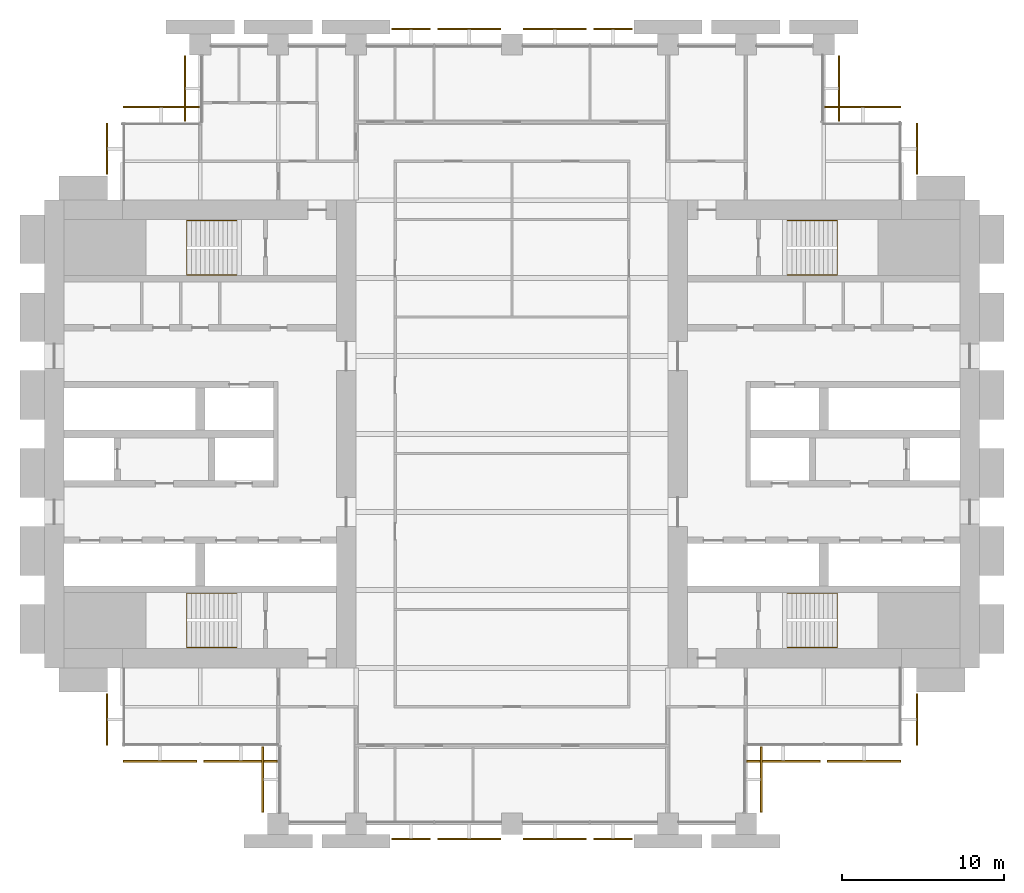
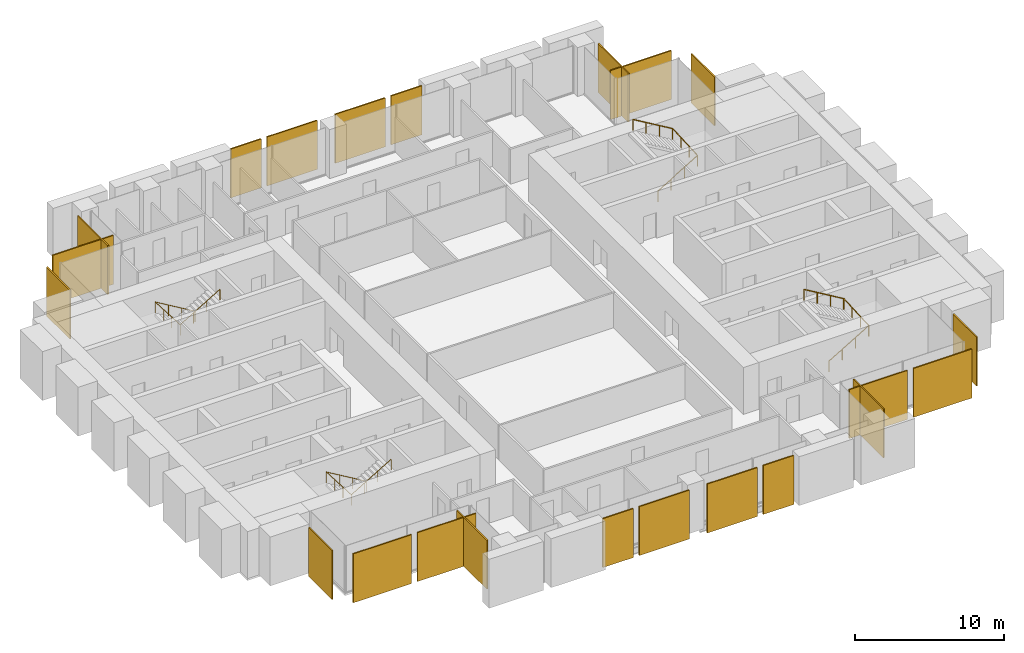
# One storey, part 14 of 14: 22 coverings, 4 railings.
"""IFC4 building model written with IfcOpenShell, lengths in metres."""

import ifcopenshell
import ifcopenshell.guid

model = None  # the IFC model being written
_history = None  # IfcOwnerHistory: only IFC2X3 demands one
_inside = {}  # id of a spatial element -> (the spatial element, [elements in it])
_under = {}  # id of a project, library or spatial element -> (it, [spatial elements below it])
_declared = {}  # id of a project -> (the project, [libraries it declares])
_typed = {}  # id of a type object -> (the type object, [elements of that type])
_made_of = {}  # id of a material, layer set ... -> (it, [elements and type objects made of it])


def new_model(schema):
    """Start an empty IFC model of exactly this schema.

    Asked for "IFC4X3", IfcOpenShell would pick the latest addendum, in which some entities
    have other attributes; the version numbers below select the first issue.
    IFC2X3 requires an IfcOwnerHistory on every rooted entity: one is made here for all.
    """
    global model, _history
    if schema == "IFC4X3":
        model = ifcopenshell.file(schema_version=(4, 3, 0, 0))
    else:
        model = ifcopenshell.file(schema=schema)
    _inside.clear()
    _under.clear()
    _declared.clear()
    _typed.clear()
    _made_of.clear()
    _history = None
    if model.schema == "IFC2X3":
        org = make("IfcOrganization", Name="unknown")
        user = make(
            "IfcPersonAndOrganization",
            ThePerson=make("IfcPerson", FamilyName="unknown"),
            TheOrganization=org,
        )
        app = make(
            "IfcApplication",
            ApplicationDeveloper=org,
            Version="unknown",
            ApplicationFullName="unknown",
            ApplicationIdentifier="unknown",
        )
        _history = make(
            "IfcOwnerHistory",
            OwningUser=user,
            OwningApplication=app,
            ChangeAction="ADDED",
            CreationDate=0,
        )
    return model


def make(cls, **values):
    """One entity of the class cls with the attributes given. An attribute that is None is left unset."""
    return model.create_entity(
        cls, **{name: value for name, value in values.items() if value is not None}
    )


def rooted(cls, **values):
    """An entity with a GlobalId (a new one), such as an element, a storey or a relation."""
    return make(cls, GlobalId=ifcopenshell.guid.new(), OwnerHistory=_history, **values)


def si_unit(unit_type, name, prefix=None):
    """IfcSIUnit, for example si_unit("LENGTHUNIT", "METRE", prefix="MILLI")."""
    return make("IfcSIUnit", UnitType=unit_type, Prefix=prefix, Name=name)


def assignment(units):
    """IfcUnitAssignment: the units of a project."""
    return None if units is None else make("IfcUnitAssignment", Units=units)


def point(xyz):
    """IfcCartesianPoint."""
    return None if xyz is None else make("IfcCartesianPoint", Coordinates=xyz)


def direction(xyz):
    """IfcDirection."""
    return None if xyz is None else make("IfcDirection", DirectionRatios=xyz)


def frame(location, z_axis=None, x_axis=None):
    """IfcAxis2Placement3D, a coordinate frame: its origin and axes. An axis left out is left unset."""
    return make(
        "IfcAxis2Placement3D",
        Location=point(location),
        Axis=direction(z_axis),
        RefDirection=direction(x_axis),
    )


def frame_2d(location, x_axis=None):
    """IfcAxis2Placement2D, a coordinate frame in the plane: its origin and x axis."""
    return make(
        "IfcAxis2Placement2D", Location=point(location), RefDirection=direction(x_axis)
    )


def origin():
    """The frame at (0, 0, 0) with its axes left unset."""
    return frame((0.0, 0.0, 0.0))


def origin_2d():
    """The frame at (0, 0) in the plane with its x axis left unset."""
    return frame_2d((0.0, 0.0))


def place(relative_to, where):
    """IfcLocalPlacement: puts the frame where relative to a parent placement (None: the world)."""
    return make(
        "IfcLocalPlacement", PlacementRelTo=relative_to, RelativePlacement=where
    )


def context(
    kind, dimensions, precision=None, world=None, true_north=None, identifier=None
):
    """IfcGeometricRepresentationContext, for example the 3D "Model" context."""
    return make(
        "IfcGeometricRepresentationContext",
        ContextIdentifier=identifier,
        ContextType=kind,
        CoordinateSpaceDimension=dimensions,
        Precision=precision,
        WorldCoordinateSystem=world,
        TrueNorth=true_north,
    )


def subcontext(parent, identifier, kind, view, scale=None):
    """IfcGeometricRepresentationSubContext, for example "Body" below "Model"."""
    return make(
        "IfcGeometricRepresentationSubContext",
        ContextIdentifier=identifier,
        ContextType=kind,
        ParentContext=parent,
        TargetScale=scale,
        TargetView=view,
    )


def project(units=None, contexts=None):
    """IfcProject with its units and contexts."""
    return rooted(
        "IfcProject",
        Name="project",
        RepresentationContexts=contexts,
        UnitsInContext=assignment(units),
    )


def spatial(cls, under=None, at=None, **own):
    """A site, building, storey or space (cls), placed at a placement, below another one or the project."""
    s = rooted(cls, ObjectPlacement=at, **own)
    if under is not None:
        _under.setdefault(under.id(), (under, []))[1].append(s)
    return s


def polyline(points):
    """IfcPolyline through the points."""
    return make("IfcPolyline", Points=[point(p) for p in points])


def profile(cls, at=None, kind="AREA", **sizes):
    """A parametric profile (cls). Its sizes go by their IFC names, for example OverallWidth=200.0."""
    return make(cls, ProfileType=kind, Position=at, **sizes)


def circle(**sizes):
    """IfcCircleProfileDef."""
    return profile("IfcCircleProfileDef", **sizes)


def outline(outer, holes=None, kind="AREA"):
    """IfcArbitraryClosedProfileDef: a profile drawn as a closed curve; with holes, ...WithVoids."""
    if holes is None:
        return make("IfcArbitraryClosedProfileDef", ProfileType=kind, OuterCurve=outer)
    return make(
        "IfcArbitraryProfileDefWithVoids",
        ProfileType=kind,
        OuterCurve=outer,
        InnerCurves=holes,
    )


def extrude(swept, where, along, depth):
    """IfcExtrudedAreaSolid: the profile swept, set in the frame where, extruded along a direction by depth."""
    return make(
        "IfcExtrudedAreaSolid",
        SweptArea=swept,
        Position=where,
        ExtrudedDirection=direction(along),
        Depth=depth,
    )


def shape(context_of_items, identifier, shape_type, items):
    """IfcShapeRepresentation: the items that make up one representation, for example the "Body"."""
    return make(
        "IfcShapeRepresentation",
        ContextOfItems=context_of_items,
        RepresentationIdentifier=identifier,
        RepresentationType=shape_type,
        Items=items,
    )


def material(Name=None, Category=None):
    """IfcMaterial."""
    return make("IfcMaterial", Name=Name, Category=Category)


def layer(
    of_material, thickness, ventilated=None, Name=None, Category=None, Priority=None
):
    """IfcMaterialLayer: one layer of a wall or slab, of a material (None: an air gap)."""
    return make(
        "IfcMaterialLayer",
        Material=of_material,
        LayerThickness=thickness,
        IsVentilated=ventilated,
        Name=Name,
        Category=Category,
        Priority=Priority,
    )


def layer_set(layers, Name=None):
    """IfcMaterialLayerSet."""
    return make("IfcMaterialLayerSet", MaterialLayers=layers, LayerSetName=Name)


def made_of(thing, what):
    """Note that an element or type object is made of a material, layer set ...; save() writes the relation."""
    if what is not None:
        _made_of.setdefault(what.id(), (what, []))[1].append(thing)
    return thing


def type_object(cls, material=None, **own):
    """A type object (cls), such as IfcWallType, which elements share."""
    return made_of(rooted(cls, **own), material)


def element(
    cls,
    number,
    at=None,
    inside=None,
    cuts=None,
    type_object=None,
    material=None,
    context=None,
    identifier="Body",
    shape_type=None,
    held_by="IfcProductDefinitionShape",
    body=None,
    shapes=None,
    **own,
):
    """One element of the class cls, such as IfcWall. Its Tag is "e" and its number.

    at: its placement. inside: the storey or other place that contains it. cuts: it is an
    opening in that element (IfcRelVoidsElement). A single representation is given by context,
    identifier, shape_type and body (its items); several are given by shapes. held_by: the class
    of the entity that holds the representations. save() writes the other relations.
    """
    e = rooted(cls, Tag="e%d" % number, ObjectPlacement=at, **own)
    if body is not None:
        shapes = [shape(context, identifier, shape_type, body)]
    if shapes is not None:
        e.Representation = make(held_by, Representations=shapes)
    if inside is not None:
        _inside.setdefault(inside.id(), (inside, []))[1].append(e)
    if cuts is not None:
        rooted(
            "IfcRelVoidsElement", RelatingBuildingElement=cuts, RelatedOpeningElement=e
        )
    if type_object is not None:
        _typed.setdefault(type_object.id(), (type_object, []))[1].append(e)
    return made_of(e, material)


def aggregate(whole, parts):
    """IfcRelAggregates: a whole, such as a stair, and the parts it consists of."""
    return rooted("IfcRelAggregates", RelatingObject=whole, RelatedObjects=parts)


def save(model, path):
    """Write the relations noted so far, then the file.

    IfcRelAggregates (storeys below a building ...), IfcRelContainedInSpatialStructure (elements
    in a storey), IfcRelDefinesByType, IfcRelAssociatesMaterial and IfcRelDeclares: one each for
    every whole, place, type object, material and project.
    """
    for whole, parts in _under.values():
        aggregate(whole, parts)
    for where, things in _inside.values():
        rooted(
            "IfcRelContainedInSpatialStructure",
            RelatedElements=things,
            RelatingStructure=where,
        )
    for kind, things in _typed.values():
        rooted("IfcRelDefinesByType", RelatedObjects=things, RelatingType=kind)
    for what, things in _made_of.values():
        rooted("IfcRelAssociatesMaterial", RelatedObjects=things, RelatingMaterial=what)
    for by, libraries in _declared.values():
        rooted("IfcRelDeclares", RelatingContext=by, RelatedDefinitions=libraries)
    model.write(path)


model = new_model("IFC4")

# Units and contexts
model_context = context("Model", 3, precision=1e-05, world=origin(), true_north=direction((0.0, 1.0)))
body_context = subcontext(model_context, "Body", "Model", "MODEL_VIEW")
ifc_project = project(units=[si_unit("LENGTHUNIT", "METRE"), si_unit("AREAUNIT", "SQUARE_METRE"), si_unit("VOLUMEUNIT", "CUBIC_METRE"), si_unit("PLANEANGLEUNIT", "RADIAN"), si_unit("MASSUNIT", "GRAM", prefix="KILO")], contexts=[model_context])

# Site, building, storey
site_placement = place(None, origin())
site = spatial("IfcSite", under=ifc_project, at=site_placement, CompositionType="ELEMENT")
building_placement = place(site_placement, origin())
building = spatial("IfcBuilding", under=site, at=building_placement, Name="Baori Bourse Tower", CompositionType="ELEMENT")
storey_placement = place(building_placement, frame((0.0, 0.0, 67.0)))
storey = spatial("IfcBuildingStorey", under=building, at=storey_placement, Name="L14", CompositionType="ELEMENT", Elevation=67.0)

# Railings
ifc_material_1 = material(Name="Powder-coated steel balustrade", Category="steel")
railing_type = type_object("IfcRailingType", Name="Core stair handrail", PredefinedType="HANDRAIL", material=ifc_material_1)
railing_1_placement = place(storey_placement, frame((11.85009765625, 14.199951171875, 0.166748046875)))
element("IfcRailing", 1, at=railing_1_placement, inside=storey, type_object=railing_type, Name="L14 ST1 stair handrail 1", PredefinedType="HANDRAIL", context=body_context, shape_type="SweptSolid", body=[
    extrude(circle(Radius=0.02392578125, at=origin_2d()), frame((0.0, 0.0, 0.8759765625), z_axis=(-0.859308565015, 0.0, 0.511457515432), x_axis=(0.0, -1.0, 0.0)), (0.0, 0.0, 1.0), 3.58447265625),
    extrude(circle(Radius=0.02392578125, at=origin_2d()), frame((-3.080078125, 0.0, 2.708984375), z_axis=(0.0, -0.998763387249, 0.04971615724), x_axis=(1.0, 0.0, 0.0)), (0.0, 0.0, 1.0), 3.35400390625),
    extrude(circle(Radius=0.02392578125, at=origin_2d()), frame((-3.080078125, -3.349853515625, 2.8759765625), z_axis=(0.859308565015, 0.0, 0.511457515432), x_axis=(0.0, 1.0, 0.0)), (0.0, 0.0, 1.0), 3.58447265625),
    extrude(circle(Radius=0.02099609375, at=origin_2d()), origin(), (0.0, 0.0, 1.0), 0.851806640625),
    extrude(circle(Radius=0.02099609375, at=origin_2d()), frame((-1.026611328125, 0.0, 0.611083984375)), (0.0, 0.0, 1.0), 0.851806640625),
    extrude(circle(Radius=0.02099609375, at=origin_2d()), frame((-2.053466796875, 0.0, 1.22216796875)), (0.0, 0.0, 1.0), 0.851806640625),
    extrude(circle(Radius=0.02099609375, at=origin_2d()), frame((-3.080078125, 0.0, 1.833251953125)), (0.0, 0.0, 1.0), 0.851806640625),
    extrude(circle(Radius=0.02099609375, at=origin_2d()), frame((-3.080078125, -1.11669921875, 1.888916015625)), (0.0, 0.0, 1.0), 0.851806640625),
    extrude(circle(Radius=0.02099609375, at=origin_2d()), frame((-3.080078125, -2.233154296875, 1.9443359375)), (0.0, 0.0, 1.0), 0.851806640625),
    extrude(circle(Radius=0.02099609375, at=origin_2d()), frame((-3.080078125, -3.349853515625, 2.0)), (0.0, 0.0, 1.0), 0.851806640625),
    extrude(circle(Radius=0.02099609375, at=origin_2d()), frame((-2.053466796875, -3.349853515625, 2.611083984375)), (0.0, 0.0, 1.0), 0.851806640625),
    extrude(circle(Radius=0.02099609375, at=origin_2d()), frame((-1.026611328125, -3.349853515625, 3.22216796875)), (0.0, 0.0, 1.0), 0.851806640625),
    extrude(circle(Radius=0.02099609375, at=origin_2d()), frame((0.0, -3.349853515625, 3.833251953125)), (0.0, 0.0, 1.0), 0.851806640625),
])
railing_2_placement = place(storey_placement, frame((11.85009765625, 37.14990234375, 0.166748046875)))
element("IfcRailing", 2, at=railing_2_placement, inside=storey, type_object=railing_type, Name="L14 ST2 stair handrail 1", PredefinedType="HANDRAIL", context=body_context, shape_type="SweptSolid", body=[
    extrude(circle(Radius=0.02392578125, at=origin_2d()), frame((0.0, 0.0, 0.8759765625), z_axis=(-0.859308565015, 0.0, 0.511457515432), x_axis=(0.0, -1.0, 0.0)), (0.0, 0.0, 1.0), 3.58447265625),
    extrude(circle(Radius=0.02392578125, at=origin_2d()), frame((-3.080078125, 0.0, 2.708984375), z_axis=(0.0, -0.998763387249, 0.04971615724), x_axis=(1.0, 0.0, 0.0)), (0.0, 0.0, 1.0), 3.35400390625),
    extrude(circle(Radius=0.02392578125, at=origin_2d()), frame((-3.080078125, -3.349853515625, 2.8759765625), z_axis=(0.859308565015, 0.0, 0.511457515432), x_axis=(0.0, 1.0, 0.0)), (0.0, 0.0, 1.0), 3.58447265625),
    extrude(circle(Radius=0.02099609375, at=origin_2d()), origin(), (0.0, 0.0, 1.0), 0.851806640625),
    extrude(circle(Radius=0.02099609375, at=origin_2d()), frame((-1.026611328125, 0.0, 0.611083984375)), (0.0, 0.0, 1.0), 0.851806640625),
    extrude(circle(Radius=0.02099609375, at=origin_2d()), frame((-2.053466796875, 0.0, 1.22216796875)), (0.0, 0.0, 1.0), 0.851806640625),
    extrude(circle(Radius=0.02099609375, at=origin_2d()), frame((-3.080078125, 0.0, 1.833251953125)), (0.0, 0.0, 1.0), 0.851806640625),
    extrude(circle(Radius=0.02099609375, at=origin_2d()), frame((-3.080078125, -1.11669921875, 1.888916015625)), (0.0, 0.0, 1.0), 0.851806640625),
    extrude(circle(Radius=0.02099609375, at=origin_2d()), frame((-3.080078125, -2.233154296875, 1.9443359375)), (0.0, 0.0, 1.0), 0.851806640625),
    extrude(circle(Radius=0.02099609375, at=origin_2d()), frame((-3.080078125, -3.349853515625, 2.0)), (0.0, 0.0, 1.0), 0.851806640625),
    extrude(circle(Radius=0.02099609375, at=origin_2d()), frame((-2.053466796875, -3.349853515625, 2.611083984375)), (0.0, 0.0, 1.0), 0.851806640625),
    extrude(circle(Radius=0.02099609375, at=origin_2d()), frame((-1.026611328125, -3.349853515625, 3.22216796875)), (0.0, 0.0, 1.0), 0.851806640625),
    extrude(circle(Radius=0.02099609375, at=origin_2d()), frame((0.0, -3.349853515625, 3.833251953125)), (0.0, 0.0, 1.0), 0.851806640625),
])
railing_3_placement = place(storey_placement, frame((45.75, 10.85009765625, 0.166748046875)))
element("IfcRailing", 3, at=railing_3_placement, inside=storey, type_object=railing_type, Name="L14 ST3 stair handrail 1", PredefinedType="HANDRAIL", context=body_context, shape_type="SweptSolid", body=[
    extrude(circle(Radius=0.02392578125, at=origin_2d()), frame((0.0, 0.0, 0.8759765625), z_axis=(0.859308565015, 0.0, 0.511457515432), x_axis=(0.0, 1.0, 0.0)), (0.0, 0.0, 1.0), 3.58447265625),
    extrude(circle(Radius=0.02392578125, at=origin_2d()), frame((3.080078125, 0.0, 2.708984375), z_axis=(0.0, 0.998763387249, 0.04971615724), x_axis=(-1.0, 0.0, 0.0)), (0.0, 0.0, 1.0), 3.35400390625),
    extrude(circle(Radius=0.02392578125, at=origin_2d()), frame((3.080078125, 3.349853515625, 2.8759765625), z_axis=(-0.859308565015, 0.0, 0.511457515432), x_axis=(0.0, -1.0, 0.0)), (0.0, 0.0, 1.0), 3.58447265625),
    extrude(circle(Radius=0.02099609375, at=origin_2d()), origin(), (0.0, 0.0, 1.0), 0.851806640625),
    extrude(circle(Radius=0.02099609375, at=origin_2d()), frame((1.026611328125, 0.0, 0.611083984375)), (0.0, 0.0, 1.0), 0.851806640625),
    extrude(circle(Radius=0.02099609375, at=origin_2d()), frame((2.053466796875, 0.0, 1.22216796875)), (0.0, 0.0, 1.0), 0.851806640625),
    extrude(circle(Radius=0.02099609375, at=origin_2d()), frame((3.080078125, 0.0, 1.833251953125)), (0.0, 0.0, 1.0), 0.851806640625),
    extrude(circle(Radius=0.02099609375, at=origin_2d()), frame((3.080078125, 1.11669921875, 1.888916015625)), (0.0, 0.0, 1.0), 0.851806640625),
    extrude(circle(Radius=0.02099609375, at=origin_2d()), frame((3.080078125, 2.233154296875, 1.9443359375)), (0.0, 0.0, 1.0), 0.851806640625),
    extrude(circle(Radius=0.02099609375, at=origin_2d()), frame((3.080078125, 3.349853515625, 2.0)), (0.0, 0.0, 1.0), 0.851806640625),
    extrude(circle(Radius=0.02099609375, at=origin_2d()), frame((2.053466796875, 3.349853515625, 2.611083984375)), (0.0, 0.0, 1.0), 0.851806640625),
    extrude(circle(Radius=0.02099609375, at=origin_2d()), frame((1.026611328125, 3.349853515625, 3.22216796875)), (0.0, 0.0, 1.0), 0.851806640625),
    extrude(circle(Radius=0.02099609375, at=origin_2d()), frame((0.0, 3.349853515625, 3.833251953125)), (0.0, 0.0, 1.0), 0.851806640625),
])
railing_4_placement = place(storey_placement, frame((45.75, 33.800048828125, 0.166748046875)))
element("IfcRailing", 4, at=railing_4_placement, inside=storey, type_object=railing_type, Name="L14 ST4 stair handrail 1", PredefinedType="HANDRAIL", context=body_context, shape_type="SweptSolid", body=[
    extrude(circle(Radius=0.02392578125, at=origin_2d()), frame((0.0, 0.0, 0.8759765625), z_axis=(0.859308565015, 0.0, 0.511457515432), x_axis=(0.0, 1.0, 0.0)), (0.0, 0.0, 1.0), 3.58447265625),
    extrude(circle(Radius=0.02392578125, at=origin_2d()), frame((3.080078125, 0.0, 2.708984375), z_axis=(0.0, 0.998763387249, 0.04971615724), x_axis=(-1.0, 0.0, 0.0)), (0.0, 0.0, 1.0), 3.35400390625),
    extrude(circle(Radius=0.02392578125, at=origin_2d()), frame((3.080078125, 3.349853515625, 2.8759765625), z_axis=(-0.859308565015, 0.0, 0.511457515432), x_axis=(0.0, -1.0, 0.0)), (0.0, 0.0, 1.0), 3.58447265625),
    extrude(circle(Radius=0.02099609375, at=origin_2d()), origin(), (0.0, 0.0, 1.0), 0.851806640625),
    extrude(circle(Radius=0.02099609375, at=origin_2d()), frame((1.026611328125, 0.0, 0.611083984375)), (0.0, 0.0, 1.0), 0.851806640625),
    extrude(circle(Radius=0.02099609375, at=origin_2d()), frame((2.053466796875, 0.0, 1.22216796875)), (0.0, 0.0, 1.0), 0.851806640625),
    extrude(circle(Radius=0.02099609375, at=origin_2d()), frame((3.080078125, 0.0, 1.833251953125)), (0.0, 0.0, 1.0), 0.851806640625),
    extrude(circle(Radius=0.02099609375, at=origin_2d()), frame((3.080078125, 1.11669921875, 1.888916015625)), (0.0, 0.0, 1.0), 0.851806640625),
    extrude(circle(Radius=0.02099609375, at=origin_2d()), frame((3.080078125, 2.233154296875, 1.9443359375)), (0.0, 0.0, 1.0), 0.851806640625),
    extrude(circle(Radius=0.02099609375, at=origin_2d()), frame((3.080078125, 3.349853515625, 2.0)), (0.0, 0.0, 1.0), 0.851806640625),
    extrude(circle(Radius=0.02099609375, at=origin_2d()), frame((2.053466796875, 3.349853515625, 2.611083984375)), (0.0, 0.0, 1.0), 0.851806640625),
    extrude(circle(Radius=0.02099609375, at=origin_2d()), frame((1.026611328125, 3.349853515625, 3.22216796875)), (0.0, 0.0, 1.0), 0.851806640625),
    extrude(circle(Radius=0.02099609375, at=origin_2d()), frame((0.0, 3.349853515625, 3.833251953125)), (0.0, 0.0, 1.0), 0.851806640625),
])

# Coverings
ifc_material_2 = material(Name="Pale anodised aluminium", Category="aluminium")
ifc_layer = layer(ifc_material_2, 0.10009765625)
ifc_layer_set = layer_set([ifc_layer], Name="OS3 Outer skin screen panel")
covering_type = type_object("IfcCoveringType", Name="OS3 Outer skin screen panel", PredefinedType="CLADDING", material=ifc_layer_set)
covering_1_placement = place(storey_placement, frame((0.0, 0.0, -0.159912109375)))
element("IfcCovering", 5, at=covering_1_placement, inside=storey, type_object=covering_type, Name="Outer skin screen L14 1", PredefinedType="CLADDING", context=body_context, shape_type="SweptSolid", body=[
    extrude(outline(polyline([(53.699951171875, 43.14990234375), (53.699951171875, 40.0), (53.800048828125, 40.0), (53.800048828125, 43.14990234375), (53.699951171875, 43.14990234375)])), origin(), (0.0, 0.0, 1.0), 4.0),
])
covering_2_placement = place(storey_placement, frame((0.0, 0.0, -0.159912109375)))
element("IfcCovering", 6, at=covering_2_placement, inside=storey, type_object=covering_type, Name="Outer skin screen L14 2", PredefinedType="CLADDING", context=body_context, shape_type="SweptSolid", body=[
    extrude(outline(polyline([(48.050048828125, 44.10009765625), (52.75, 44.10009765625), (52.75, 44.199951171875), (48.050048828125, 44.199951171875), (48.050048828125, 44.10009765625)])), origin(), (0.0, 0.0, 1.0), 4.0),
])
covering_3_placement = place(storey_placement, frame((0.0, 0.0, -0.159912109375)))
element("IfcCovering", 7, at=covering_3_placement, inside=storey, type_object=covering_type, Name="Outer skin screen L14 3", PredefinedType="CLADDING", context=body_context, shape_type="SweptSolid", body=[
    extrude(outline(polyline([(48.89990234375, 47.300048828125), (48.89990234375, 43.25), (49.0, 43.25), (49.0, 47.300048828125), (48.89990234375, 47.300048828125)])), origin(), (0.0, 0.0, 1.0), 4.0),
])
covering_4_placement = place(storey_placement, frame((0.0, 0.0, -0.159912109375)))
element("IfcCovering", 8, at=covering_4_placement, inside=storey, type_object=covering_type, Name="Outer skin screen L14 4", PredefinedType="CLADDING", context=body_context, shape_type="SweptSolid", body=[
    extrude(outline(polyline([(33.824951171875, 48.89990234375), (36.199951171875, 48.89990234375), (36.199951171875, 49.0), (33.824951171875, 49.0), (33.824951171875, 48.89990234375)])), origin(), (0.0, 0.0, 1.0), 4.0),
])
covering_5_placement = place(storey_placement, frame((0.0, 0.0, -0.159912109375)))
element("IfcCovering", 9, at=covering_5_placement, inside=storey, type_object=covering_type, Name="Outer skin screen L14 5", PredefinedType="CLADDING", context=body_context, shape_type="SweptSolid", body=[
    extrude(outline(polyline([(29.5, 48.89990234375), (33.375, 48.89990234375), (33.375, 49.0), (29.5, 49.0), (29.5, 48.89990234375)])), origin(), (0.0, 0.0, 1.0), 4.0),
])
covering_6_placement = place(storey_placement, frame((0.0, 0.0, -0.159912109375)))
element("IfcCovering", 10, at=covering_6_placement, inside=storey, type_object=covering_type, Name="Outer skin screen L14 6", PredefinedType="CLADDING", context=body_context, shape_type="SweptSolid", body=[
    extrude(outline(polyline([(24.22509765625, 48.89990234375), (28.10009765625, 48.89990234375), (28.10009765625, 49.0), (24.22509765625, 49.0), (24.22509765625, 48.89990234375)])), origin(), (0.0, 0.0, 1.0), 4.0),
])
covering_7_placement = place(storey_placement, frame((0.0, 0.0, -0.159912109375)))
element("IfcCovering", 11, at=covering_7_placement, inside=storey, type_object=covering_type, Name="Outer skin screen L14 7", PredefinedType="CLADDING", context=body_context, shape_type="SweptSolid", body=[
    extrude(outline(polyline([(21.39990234375, 48.89990234375), (23.77490234375, 48.89990234375), (23.77490234375, 49.0), (21.39990234375, 49.0), (21.39990234375, 48.89990234375)])), origin(), (0.0, 0.0, 1.0), 4.0),
])
covering_8_placement = place(storey_placement, frame((0.0, 0.0, -0.159912109375)))
element("IfcCovering", 12, at=covering_8_placement, inside=storey, type_object=covering_type, Name="Outer skin screen L14 8", PredefinedType="CLADDING", context=body_context, shape_type="SweptSolid", body=[
    extrude(outline(polyline([(8.699951171875, 43.25), (8.699951171875, 47.300048828125), (8.60009765625, 47.300048828125), (8.60009765625, 43.25), (8.699951171875, 43.25)])), origin(), (0.0, 0.0, 1.0), 4.0),
])
covering_9_placement = place(storey_placement, frame((0.0, 0.0, -0.159912109375)))
element("IfcCovering", 13, at=covering_9_placement, inside=storey, type_object=covering_type, Name="Outer skin screen L14 9", PredefinedType="CLADDING", context=body_context, shape_type="SweptSolid", body=[
    extrude(outline(polyline([(4.85009765625, 44.10009765625), (9.550048828125, 44.10009765625), (9.550048828125, 44.199951171875), (4.85009765625, 44.199951171875), (4.85009765625, 44.10009765625)])), origin(), (0.0, 0.0, 1.0), 4.0),
])
covering_10_placement = place(storey_placement, frame((0.0, 0.0, -0.159912109375)))
element("IfcCovering", 14, at=covering_10_placement, inside=storey, type_object=covering_type, Name="Outer skin screen L14 10", PredefinedType="CLADDING", context=body_context, shape_type="SweptSolid", body=[
    extrude(outline(polyline([(3.89990234375, 40.0), (3.89990234375, 43.14990234375), (3.800048828125, 43.14990234375), (3.800048828125, 40.0), (3.89990234375, 40.0), (3.89990234375, 40.0)])), origin(), (0.0, 0.0, 1.0), 4.0),
])
covering_11_placement = place(storey_placement, frame((0.0, 0.0, -0.159912109375)))
element("IfcCovering", 15, at=covering_11_placement, inside=storey, type_object=covering_type, Name="Outer skin screen L14 11", PredefinedType="CLADDING", context=body_context, shape_type="SweptSolid", body=[
    extrude(outline(polyline([(3.89990234375, 4.85009765625), (3.89990234375, 8.0), (3.89990234375, 8.0), (3.800048828125, 8.0), (3.800048828125, 4.85009765625), (3.89990234375, 4.85009765625)])), origin(), (0.0, 0.0, 1.0), 4.0),
])
covering_12_placement = place(storey_placement, frame((0.0, 0.0, -0.159912109375)))
element("IfcCovering", 16, at=covering_12_placement, inside=storey, type_object=covering_type, Name="Outer skin screen L14 12", PredefinedType="CLADDING", context=body_context, shape_type="SweptSolid", body=[
    extrude(outline(polyline([(9.375, 3.89990234375), (4.85009765625, 3.89990234375), (4.85009765625, 3.800048828125), (9.375, 3.800048828125), (9.375, 3.89990234375)])), origin(), (0.0, 0.0, 1.0), 4.0),
])
covering_13_placement = place(storey_placement, frame((0.0, 0.0, -0.159912109375)))
element("IfcCovering", 17, at=covering_13_placement, inside=storey, type_object=covering_type, Name="Outer skin screen L14 13", PredefinedType="CLADDING", context=body_context, shape_type="SweptSolid", body=[
    extrude(outline(polyline([(14.35009765625, 3.89990234375), (9.824951171875, 3.89990234375), (9.824951171875, 3.800048828125), (14.35009765625, 3.800048828125), (14.35009765625, 3.89990234375)])), origin(), (0.0, 0.0, 1.0), 4.0),
])
covering_14_placement = place(storey_placement, frame((0.0, 0.0, -0.159912109375)))
element("IfcCovering", 18, at=covering_14_placement, inside=storey, type_object=covering_type, Name="Outer skin screen L14 14", PredefinedType="CLADDING", context=body_context, shape_type="SweptSolid", body=[
    extrude(outline(polyline([(13.5, 0.699951171875), (13.5, 4.75), (13.39990234375, 4.75), (13.39990234375, 0.699951171875), (13.5, 0.699951171875)])), origin(), (0.0, 0.0, 1.0), 4.0),
])
covering_15_placement = place(storey_placement, frame((0.0, 0.0, -0.159912109375)))
element("IfcCovering", 19, at=covering_15_placement, inside=storey, type_object=covering_type, Name="Outer skin screen L14 15", PredefinedType="CLADDING", context=body_context, shape_type="SweptSolid", body=[
    extrude(outline(polyline([(23.77490234375, -0.89990234375), (21.39990234375, -0.89990234375), (21.39990234375, -1.0), (23.77490234375, -1.0), (23.77490234375, -0.89990234375)])), origin(), (0.0, 0.0, 1.0), 4.0),
])
covering_16_placement = place(storey_placement, frame((0.0, 0.0, -0.159912109375)))
element("IfcCovering", 20, at=covering_16_placement, inside=storey, type_object=covering_type, Name="Outer skin screen L14 16", PredefinedType="CLADDING", context=body_context, shape_type="SweptSolid", body=[
    extrude(outline(polyline([(28.10009765625, -0.89990234375), (24.22509765625, -0.89990234375), (24.22509765625, -1.0), (28.10009765625, -1.0), (28.10009765625, -0.89990234375)])), origin(), (0.0, 0.0, 1.0), 4.0),
])
covering_17_placement = place(storey_placement, frame((0.0, 0.0, -0.159912109375)))
element("IfcCovering", 21, at=covering_17_placement, inside=storey, type_object=covering_type, Name="Outer skin screen L14 17", PredefinedType="CLADDING", context=body_context, shape_type="SweptSolid", body=[
    extrude(outline(polyline([(33.375, -0.89990234375), (29.5, -0.89990234375), (29.5, -1.0), (33.375, -1.0), (33.375, -0.89990234375)])), origin(), (0.0, 0.0, 1.0), 4.0),
])
covering_18_placement = place(storey_placement, frame((0.0, 0.0, -0.159912109375)))
element("IfcCovering", 22, at=covering_18_placement, inside=storey, type_object=covering_type, Name="Outer skin screen L14 18", PredefinedType="CLADDING", context=body_context, shape_type="SweptSolid", body=[
    extrude(outline(polyline([(36.199951171875, -0.89990234375), (33.824951171875, -0.89990234375), (33.824951171875, -1.0), (36.199951171875, -1.0), (36.199951171875, -0.89990234375)])), origin(), (0.0, 0.0, 1.0), 4.0),
])
covering_19_placement = place(storey_placement, frame((0.0, 0.0, -0.159912109375)))
element("IfcCovering", 23, at=covering_19_placement, inside=storey, type_object=covering_type, Name="Outer skin screen L14 19", PredefinedType="CLADDING", context=body_context, shape_type="SweptSolid", body=[
    extrude(outline(polyline([(44.10009765625, 4.75), (44.10009765625, 0.699951171875), (44.199951171875, 0.699951171875), (44.199951171875, 4.75), (44.10009765625, 4.75)])), origin(), (0.0, 0.0, 1.0), 4.0),
])
covering_20_placement = place(storey_placement, frame((0.0, 0.0, -0.159912109375)))
element("IfcCovering", 24, at=covering_20_placement, inside=storey, type_object=covering_type, Name="Outer skin screen L14 20", PredefinedType="CLADDING", context=body_context, shape_type="SweptSolid", body=[
    extrude(outline(polyline([(47.77490234375, 3.89990234375), (43.25, 3.89990234375), (43.25, 3.800048828125), (47.77490234375, 3.800048828125), (47.77490234375, 3.89990234375)])), origin(), (0.0, 0.0, 1.0), 4.0),
])
covering_21_placement = place(storey_placement, frame((0.0, 0.0, -0.159912109375)))
element("IfcCovering", 25, at=covering_21_placement, inside=storey, type_object=covering_type, Name="Outer skin screen L14 21", PredefinedType="CLADDING", context=body_context, shape_type="SweptSolid", body=[
    extrude(outline(polyline([(52.75, 3.89990234375), (48.22509765625, 3.89990234375), (48.22509765625, 3.800048828125), (52.75, 3.800048828125), (52.75, 3.89990234375)])), origin(), (0.0, 0.0, 1.0), 4.0),
])
covering_22_placement = place(storey_placement, frame((0.0, 0.0, -0.159912109375)))
element("IfcCovering", 26, at=covering_22_placement, inside=storey, type_object=covering_type, Name="Outer skin screen L14 22", PredefinedType="CLADDING", context=body_context, shape_type="SweptSolid", body=[
    extrude(outline(polyline([(53.699951171875, 8.0), (53.699951171875, 4.85009765625), (53.800048828125, 4.85009765625), (53.800048828125, 8.0), (53.699951171875, 8.0)])), origin(), (0.0, 0.0, 1.0), 4.0),
])

save(model, "model.ifc")
